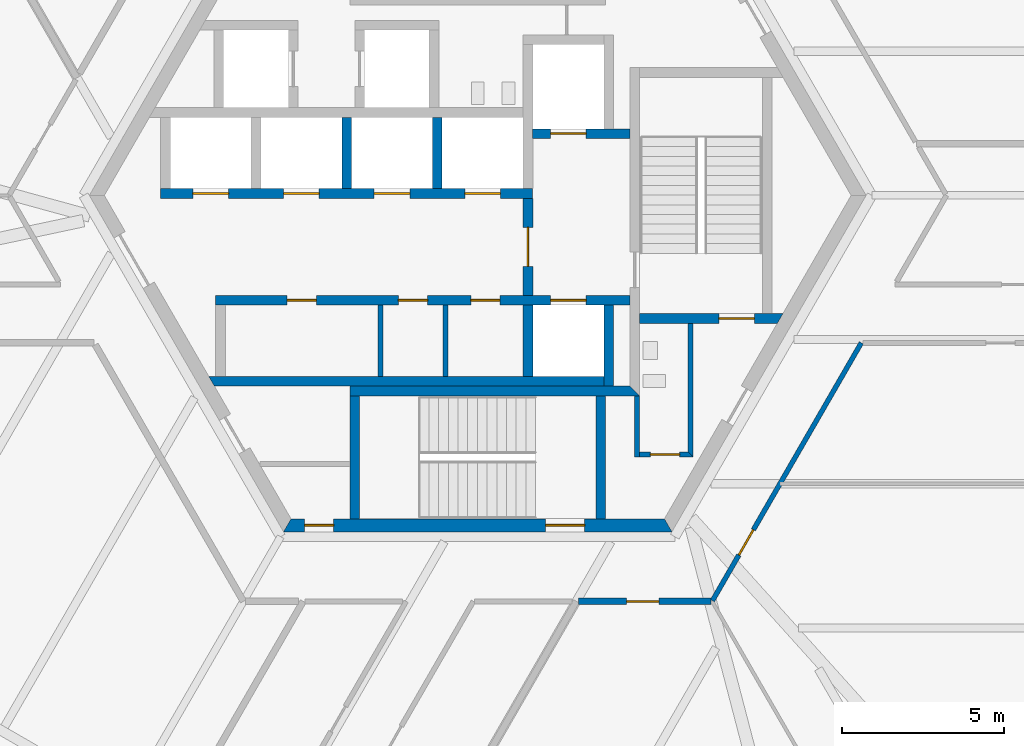
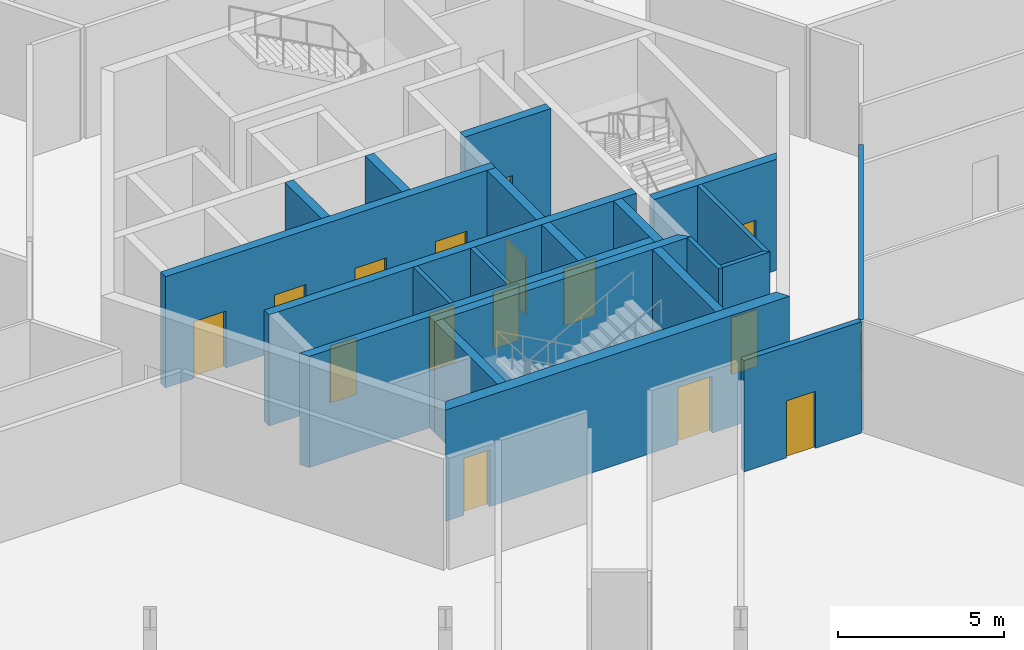
# One storey, part 27 of 38: 21 walls, 16 doors, 16 openings.
"""IFC4 building model written with IfcOpenShell, lengths in metres."""

from ifc_helpers import new_model, si_unit, direction, frame, frame_2d, origin, place, context, subcontext, project, spatial, polyline, rectangle, outline, extrude, source, transform, mapped, material, layer, layer_set, type_object, element, fill, save


model = new_model("IFC4")

# Units and contexts
model_context = context("Model", 3, precision=1e-05, world=origin(), true_north=direction((0.0, 1.0)))
body_context = subcontext(model_context, "Body", "Model", "MODEL_VIEW")
ifc_project = project(units=[si_unit("LENGTHUNIT", "METRE"), si_unit("AREAUNIT", "SQUARE_METRE"), si_unit("VOLUMEUNIT", "CUBIC_METRE"), si_unit("PLANEANGLEUNIT", "RADIAN"), si_unit("MASSUNIT", "GRAM", prefix="KILO")], contexts=[model_context])

# Site, building, storey
site_placement = place(None, origin())
site = spatial("IfcSite", under=ifc_project, at=site_placement, CompositionType="ELEMENT")
building_placement = place(site_placement, origin())
building = spatial("IfcBuilding", under=site, at=building_placement, Name="Triune Harvest Tower", CompositionType="ELEMENT")
storey_placement = place(building_placement, frame((0.0, 0.0, 16.0)))
storey = spatial("IfcBuildingStorey", under=building, at=storey_placement, Name="L03", CompositionType="ELEMENT", Elevation=16.0)

# Walls
ifc_material_1 = material(Name="Concrete masonry unit", Category="masonry")
ifc_layer_1 = layer(ifc_material_1, 0.14990234375)
ifc_layer_set_1 = layer_set([ifc_layer_1], Name="Concrete masonry unit")
wall_type_1 = type_object("IfcWallType", Name="Block partition 150 unrated", PredefinedType="PARTITIONING", material=ifc_layer_set_1)
wall_1_placement = place(storey_placement, frame((6.574951171875, -8.0, 0.0), z_axis=(0.0, 0.0, 1.0), x_axis=(0.0, 1.0, 0.0)))
element("IfcWall", 1, at=wall_1_placement, inside=storey, type_object=wall_type_1, Name="Wc acc east wall", PredefinedType="PARTITIONING", context=body_context, shape_type="SweptSolid", body=[
    extrude(outline(polyline([(-0.074951171875, -0.074951171875), (4.050048828125, -0.074951171875), (4.050048828125, 0.074951171875), (0.074951171875, 0.074951171875), (-0.074951171875, -0.074951171875)])), origin(), (0.0, 0.0, 1.0), 4.10009765625),
])
wall_2_placement = place(storey_placement, frame((4.925048828125, -8.074951171875, 0.0), z_axis=(0.0, 0.0, 1.0), x_axis=(0.0, 1.0, 0.0)))
element("IfcWall", 2, at=wall_2_placement, inside=storey, type_object=wall_type_1, Name="Wc acc west wall", PredefinedType="PARTITIONING", context=body_context, shape_type="SweptSolid", body=[
    extrude(rectangle(XDim=1.885009765625, YDim=0.14990234375, at=frame_2d((0.9423828125, 0.0))), origin(), (0.0, 0.0, 1.0), 4.10009765625),
])

# Wall, opening, door
ifc_material_2 = material(Name="Gypsum board on steel studs", Category="steel")
ifc_layer_2 = layer(ifc_material_2, 0.14990234375)
ifc_layer_set_2 = layer_set([ifc_layer_2], Name="Gypsum board on steel studs")
wall_type_2 = type_object("IfcWallType", Name="Fire Partition 150 mm", PredefinedType="PARTITIONING", material=ifc_layer_set_2)
wall_3_placement = place(storey_placement, frame((7.25146484375, -12.52490234375, 0.0), z_axis=(0.0, 0.0, 1.0), x_axis=(0.499988071196, 0.866032290773, 0.0)))
wall_3 = element("IfcWall", 3, at=wall_3_placement, inside=storey, type_object=wall_type_2, Name="Partition L03 043", PredefinedType="PARTITIONING", context=body_context, shape_type="SweptSolid", body=[
    extrude(rectangle(XDim=9.202880859375, YDim=0.14990234375, at=frame_2d((4.6015625, 0.0))), origin(), (0.0, 0.0, 1.0), 4.10009765625),
])
opening_1_placement = place(wall_3_placement, frame((1.6298828125, 0.0, 0.0)))
opening_1 = element("IfcOpeningElement", 4, at=opening_1_placement, cuts=wall_3, Name="Opening L03-001", PredefinedType="OPENING", context=body_context, shape_type="SweptSolid", body=[
    extrude(rectangle(XDim=0.89990234375, YDim=2.10009765625, at=frame_2d((0.449951171875, 1.050048828125))), frame((0.0, 0.0849609375, 0.0), z_axis=(0.0, -1.0, 0.0), x_axis=(1.0, 0.0, 0.0)), (0.0, 0.0, 1.0), 0.169921875),
])
ifc_material_3 = material(Name="Timber and steel door set", Category="steel")
door_type_1 = type_object("IfcDoorType", Name="Single leaf door FD30 right hand 900 x 2100", OperationType="SINGLE_SWING_RIGHT", PredefinedType="DOOR", material=ifc_material_3)
door_1_placement = place(opening_1_placement, origin())
door_1 = element("IfcDoor", 5, at=door_1_placement, inside=storey, type_object=door_type_1, Name="Door L03-001 Staff Room 03.01", OperationType="SINGLE_SWING_RIGHT", OverallHeight=2.10009765625, OverallWidth=0.89990234375, PredefinedType="DOOR", context=body_context, shape_type="SweptSolid", body=[
    extrude(rectangle(XDim=0.89990234375, YDim=2.10009765625, at=frame_2d((0.449951171875, 1.050048828125))), frame((0.0, 0.02490234375, 0.0), z_axis=(0.0, -1.0, 0.0), x_axis=(1.0, 0.0, 0.0)), (0.0, 0.0, 1.0), 0.050048828125),
])
fill(opening_1, door_1)

ifc_material_4 = material(Name="Gypsum board on steel studs", Category="steel")
ifc_layer_3 = layer(ifc_material_4, 0.199951171875)
ifc_layer_set_3 = layer_set([ifc_layer_3], Name="Gypsum board on steel studs")
wall_type_3 = type_object("IfcWallType", Name="Fire Wall 200 mm", PredefinedType="PARTITIONING", material=ifc_layer_set_3)
wall_4_placement = place(storey_placement, frame((3.113525390625, -12.542236328125, 0.0), z_axis=(0.0, 0.0, 1.0), x_axis=(1.0, 0.0, 0.0)))
wall_4 = element("IfcWall", 6, at=wall_4_placement, inside=storey, type_object=wall_type_3, Name="Partition L03 024", PredefinedType="PARTITIONING", context=body_context, shape_type="SweptSolid", body=[
    extrude(rectangle(XDim=4.087890625, YDim=0.199951171875, at=frame_2d((2.0439453125, 0.0))), origin(), (0.0, 0.0, 1.0), 4.10009765625),
])
opening_2_placement = place(wall_4_placement, frame((1.4833984375, 0.0, 0.0)))
opening_2 = element("IfcOpeningElement", 7, at=opening_2_placement, cuts=wall_4, Name="Opening L03-020", PredefinedType="OPENING", context=body_context, shape_type="SweptSolid", body=[
    extrude(rectangle(XDim=1.0, YDim=2.10009765625, at=frame_2d((0.5, 1.050048828125))), frame((0.0, 0.10986328125, 0.0), z_axis=(0.0, -1.0, 0.0), x_axis=(1.0, 0.0, 0.0)), (0.0, 0.0, 1.0), 0.219970703125),
])
ifc_material_5 = material(Name="Timber and steel door set", Category="steel")
door_type_2 = type_object("IfcDoorType", Name="Wide single leaf door FD60 right hand 1000 x 2100", OperationType="SINGLE_SWING_RIGHT", PredefinedType="DOOR", material=ifc_material_5)
door_2_placement = place(opening_2_placement, origin())
door_2 = element("IfcDoor", 8, at=door_2_placement, inside=storey, type_object=door_type_2, Name="Door L03-020 Growing Room 03.20", OperationType="SINGLE_SWING_RIGHT", OverallHeight=2.10009765625, OverallWidth=1.0, PredefinedType="DOOR", context=body_context, shape_type="SweptSolid", body=[
    extrude(rectangle(XDim=1.0, YDim=2.10009765625, at=frame_2d((0.5, 1.050048828125))), frame((0.0, 0.02490234375, 0.0), z_axis=(0.0, -1.0, 0.0), x_axis=(1.0, 0.0, 0.0)), (0.0, 0.0, 1.0), 0.050048828125),
])
fill(opening_2, door_2)

# Wall, openings, doors
ifc_material_6 = material(Name="Concrete 70 MPa", Category="concrete")
ifc_layer_4 = layer(ifc_material_6, 0.39990234375)
ifc_layer_set_4 = layer_set([ifc_layer_4], Name="Concrete 70 MPa")
wall_type_4 = type_object("IfcWallType", Name="Core wall 400", PredefinedType="SHEAR", material=ifc_layer_set_4)
shared_shape_1 = source(origin(), body_context, "Body", "SweptSolid", [
    extrude(outline(polyline([(-0.115478515625, -0.199951171875), (11.884521484375, -0.199951171875), (11.653564453125, 0.199951171875), (0.115478515625, 0.199951171875), (-0.115478515625, -0.199951171875)])), origin(), (0.0, 0.0, 1.0), 4.10009765625),
])
wall_5_placement = place(storey_placement, frame((-5.884521484375, -10.1923828125, 0.0), z_axis=(0.0, 0.0, 1.0), x_axis=(1.0, 0.0, 0.0)))
wall_5 = element("IfcWall", 9, at=wall_5_placement, inside=storey, type_object=wall_type_4, Name="Hexagon 4 wall", PredefinedType="SHEAR", context=body_context, shape_type="MappedRepresentation", body=[
    mapped(shared_shape_1, transform((0.0, 0.0, 0.0), scale=1.0)),
])
opening_3_placement = place(wall_5_placement, frame((7.984619140625, 0.0, 0.0)))
opening_3 = element("IfcOpeningElement", 10, at=opening_3_placement, cuts=wall_5, Name="Opening CD-S2P", PredefinedType="OPENING", context=body_context, shape_type="SweptSolid", body=[
    extrude(rectangle(XDim=1.199951171875, YDim=2.10009765625, at=frame_2d((0.60009765625, 1.050048828125))), frame((0.0, 0.2099609375, 0.0), z_axis=(0.0, -1.0, 0.0), x_axis=(1.0, 0.0, 0.0)), (0.0, 0.0, 1.0), 0.419921875),
])
opening_4_placement = place(wall_5_placement, frame((0.534423828125, 0.0, 0.0)))
opening_4 = element("IfcOpeningElement", 11, at=opening_4_placement, cuts=wall_5, Name="Opening CD-SWS", PredefinedType="OPENING", context=body_context, shape_type="SweptSolid", body=[
    extrude(rectangle(XDim=0.89990234375, YDim=2.10009765625, at=frame_2d((0.449951171875, 1.050048828125))), frame((0.0, 0.2099609375, 0.0), z_axis=(0.0, -1.0, 0.0), x_axis=(1.0, 0.0, 0.0)), (0.0, 0.0, 1.0), 0.419921875),
])
ifc_material_7 = material(Name="Steel S235", Category="steel")
door_type_3 = type_object("IfcDoorType", Name="Riser door 900 FD120", OperationType="SINGLE_SWING_LEFT", PredefinedType="DOOR", material=ifc_material_7)
door_3_placement = place(opening_4_placement, frame((0.89990234375, 0.0, 0.0), z_axis=(0.0, 0.0, 1.0), x_axis=(-1.0, 0.0, 0.0)))
door_3 = element("IfcDoor", 12, at=door_3_placement, inside=storey, type_object=door_type_3, Name="Door CD-SWS", OperationType="SINGLE_SWING_RIGHT", OverallHeight=2.10009765625, OverallWidth=0.89990234375, PredefinedType="DOOR", context=body_context, shape_type="SweptSolid", body=[
    extrude(rectangle(XDim=0.89990234375, YDim=2.10009765625, at=frame_2d((0.449951171875, 1.050048828125))), frame((0.0, 0.02490234375, 0.0), z_axis=(0.0, -1.0, 0.0), x_axis=(1.0, 0.0, 0.0)), (0.0, 0.0, 1.0), 0.050048828125),
])
fill(opening_4, door_3)
ifc_material_8 = material(Name="Steel S235", Category="steel")
door_type_4 = type_object("IfcDoorType", Name="Stair door 1200 FD120", OperationType="SINGLE_SWING_LEFT", PredefinedType="DOOR", material=ifc_material_8)
door_4_placement = place(opening_3_placement, frame((1.199951171875, 0.0, 0.0), z_axis=(0.0, 0.0, 1.0), x_axis=(-1.0, 0.0, 0.0)))
door_4 = element("IfcDoor", 13, at=door_4_placement, inside=storey, type_object=door_type_4, Name="Door CD-S2P", OperationType="SINGLE_SWING_RIGHT", OverallHeight=2.10009765625, OverallWidth=1.199951171875, PredefinedType="DOOR", context=body_context, shape_type="SweptSolid", body=[
    extrude(rectangle(XDim=1.199951171875, YDim=2.10009765625, at=frame_2d((0.60009765625, 1.050048828125))), frame((0.0, 0.02490234375, 0.0), z_axis=(0.0, -1.0, 0.0), x_axis=(1.0, 0.0, 0.0)), (0.0, 0.0, 1.0), 0.050048828125),
])
fill(opening_3, door_4)

ifc_material_9 = material(Name="Concrete 70 MPa", Category="concrete")
ifc_layer_5 = layer(ifc_material_9, 0.300048828125)
ifc_layer_set_5 = layer_set([ifc_layer_5], Name="Concrete 70 MPa")
wall_type_5 = type_object("IfcWallType", Name="Core wall 300", PredefinedType="SHEAR", material=ifc_layer_set_5)
shared_shape_2 = source(origin(), body_context, "Body", "SweptSolid", [
    extrude(rectangle(XDim=11.5, YDim=0.300048828125, at=frame_2d((5.75, 0.0))), origin(), (0.0, 0.0, 1.0), 4.10009765625),
])
wall_6_placement = place(storey_placement, frame((-9.800048828125, 0.06005859375, 0.0), z_axis=(0.0, 0.0, 1.0), x_axis=(1.0, 0.0, 0.0)))
wall_6 = element("IfcWall", 14, at=wall_6_placement, inside=storey, type_object=wall_type_5, Name="North front wall", PredefinedType="SHEAR", context=body_context, shape_type="MappedRepresentation", body=[
    mapped(shared_shape_2, transform((0.0, 0.0, 0.0), scale=1.0)),
])
opening_5_placement = place(wall_6_placement, frame((1.0, 0.0, 0.0)))
opening_5 = element("IfcOpeningElement", 15, at=opening_5_placement, cuts=wall_6, Name="Opening LD-LR1-03", PredefinedType="OPENING", context=body_context, shape_type="SweptSolid", body=[
    extrude(rectangle(XDim=1.10009765625, YDim=2.10009765625, at=frame_2d((0.550048828125, 1.050048828125))), frame((0.0, 0.16015625, 0.0), z_axis=(0.0, -1.0, 0.0), x_axis=(1.0, 0.0, 0.0)), (0.0, 0.0, 1.0), 0.320068359375),
])
opening_6_placement = place(wall_6_placement, frame((3.800048828125, 0.0, 0.0)))
opening_6 = element("IfcOpeningElement", 16, at=opening_6_placement, cuts=wall_6, Name="Opening LD-LR2-03", PredefinedType="OPENING", context=body_context, shape_type="SweptSolid", body=[
    extrude(rectangle(XDim=1.10009765625, YDim=2.10009765625, at=frame_2d((0.550048828125, 1.050048828125))), frame((0.0, 0.16015625, 0.0), z_axis=(0.0, -1.0, 0.0), x_axis=(1.0, 0.0, 0.0)), (0.0, 0.0, 1.0), 0.320068359375),
])
opening_7_placement = place(wall_6_placement, frame((6.60009765625, 0.0, 0.0)))
opening_7 = element("IfcOpeningElement", 17, at=opening_7_placement, cuts=wall_6, Name="Opening LD-LR3-03", PredefinedType="OPENING", context=body_context, shape_type="SweptSolid", body=[
    extrude(rectangle(XDim=1.10009765625, YDim=2.10009765625, at=frame_2d((0.550048828125, 1.050048828125))), frame((0.0, 0.16015625, 0.0), z_axis=(0.0, -1.0, 0.0), x_axis=(1.0, 0.0, 0.0)), (0.0, 0.0, 1.0), 0.320068359375),
])
opening_8_placement = place(wall_6_placement, frame((9.39990234375, 0.0, 0.0)))
opening_8 = element("IfcOpeningElement", 18, at=opening_8_placement, cuts=wall_6, Name="Opening LD-LR4-03", PredefinedType="OPENING", context=body_context, shape_type="SweptSolid", body=[
    extrude(rectangle(XDim=1.10009765625, YDim=2.10009765625, at=frame_2d((0.550048828125, 1.050048828125))), frame((0.0, 0.16015625, 0.0), z_axis=(0.0, -1.0, 0.0), x_axis=(1.0, 0.0, 0.0)), (0.0, 0.0, 1.0), 0.320068359375),
])
ifc_material_10 = material(Name="Stainless steel AISI 304", Category="steel")
door_type_5 = type_object("IfcDoorType", Name="Landing door 1100 x 2100", OperationType="DOUBLE_DOOR_SLIDING", PredefinedType="DOOR", material=ifc_material_10)
door_5_placement = place(opening_5_placement, origin())
door_5 = element("IfcDoor", 19, at=door_5_placement, inside=storey, type_object=door_type_5, Name="Door LD-LR1-03", OperationType="DOUBLE_DOOR_SLIDING", OverallHeight=2.10009765625, OverallWidth=1.10009765625, PredefinedType="DOOR", context=body_context, shape_type="SweptSolid", body=[
    extrude(rectangle(XDim=1.10009765625, YDim=2.10009765625, at=frame_2d((0.550048828125, 1.050048828125))), frame((0.0, 0.02490234375, 0.0), z_axis=(0.0, -1.0, 0.0), x_axis=(1.0, 0.0, 0.0)), (0.0, 0.0, 1.0), 0.050048828125),
])
fill(opening_5, door_5)
door_6_placement = place(opening_6_placement, origin())
door_6 = element("IfcDoor", 20, at=door_6_placement, inside=storey, type_object=door_type_5, Name="Door LD-LR2-03", OperationType="DOUBLE_DOOR_SLIDING", OverallHeight=2.10009765625, OverallWidth=1.10009765625, PredefinedType="DOOR", context=body_context, shape_type="SweptSolid", body=[
    extrude(rectangle(XDim=1.10009765625, YDim=2.10009765625, at=frame_2d((0.550048828125, 1.050048828125))), frame((0.0, 0.02490234375, 0.0), z_axis=(0.0, -1.0, 0.0), x_axis=(1.0, 0.0, 0.0)), (0.0, 0.0, 1.0), 0.050048828125),
])
fill(opening_6, door_6)
door_7_placement = place(opening_7_placement, origin())
door_7 = element("IfcDoor", 21, at=door_7_placement, inside=storey, type_object=door_type_5, Name="Door LD-LR3-03", OperationType="DOUBLE_DOOR_SLIDING", OverallHeight=2.10009765625, OverallWidth=1.10009765625, PredefinedType="DOOR", context=body_context, shape_type="SweptSolid", body=[
    extrude(rectangle(XDim=1.10009765625, YDim=2.10009765625, at=frame_2d((0.550048828125, 1.050048828125))), frame((0.0, 0.02490234375, 0.0), z_axis=(0.0, -1.0, 0.0), x_axis=(1.0, 0.0, 0.0)), (0.0, 0.0, 1.0), 0.050048828125),
])
fill(opening_7, door_7)
door_8_placement = place(opening_8_placement, origin())
door_8 = element("IfcDoor", 22, at=door_8_placement, inside=storey, type_object=door_type_5, Name="Door LD-LR4-03", OperationType="DOUBLE_DOOR_SLIDING", OverallHeight=2.10009765625, OverallWidth=1.10009765625, PredefinedType="DOOR", context=body_context, shape_type="SweptSolid", body=[
    extrude(rectangle(XDim=1.10009765625, YDim=2.10009765625, at=frame_2d((0.550048828125, 1.050048828125))), frame((0.0, 0.02490234375, 0.0), z_axis=(0.0, -1.0, 0.0), x_axis=(1.0, 0.0, 0.0)), (0.0, 0.0, 1.0), 0.050048828125),
])
fill(opening_8, door_8)

# Wall
shared_shape_3 = source(origin(), body_context, "Body", "SweptSolid", [
    extrude(rectangle(XDim=2.5, YDim=0.300048828125, at=frame_2d((1.25, 0.0))), origin(), (0.0, 0.0, 1.0), 4.10009765625),
])
wall_7_placement = place(storey_placement, frame((4.050048828125, -5.889892578125, 0.0), z_axis=(0.0, 0.0, 1.0), x_axis=(0.0, 1.0, 0.0)))
element("IfcWall", 23, at=wall_7_placement, inside=storey, type_object=wall_type_5, Name="Ff2 east wall", PredefinedType="SHEAR", context=body_context, shape_type="MappedRepresentation", body=[
    mapped(shared_shape_3, transform((0.0, 0.0, 0.0), scale=1.0)),
])

# Wall, opening, door
shared_shape_4 = source(origin(), body_context, "Body", "SweptSolid", [
    extrude(rectangle(XDim=3.0, YDim=0.300048828125, at=frame_2d((1.5, 0.0))), origin(), (0.0, 0.0, 1.0), 4.10009765625),
])
wall_8_placement = place(storey_placement, frame((1.699951171875, 1.909912109375, 0.0), z_axis=(0.0, 0.0, 1.0), x_axis=(1.0, 0.0, 0.0)))
wall_8 = element("IfcWall", 24, at=wall_8_placement, inside=storey, type_object=wall_type_5, Name="Ff1 front wall", PredefinedType="SHEAR", context=body_context, shape_type="MappedRepresentation", body=[
    mapped(shared_shape_4, transform((0.0, 0.0, 0.0), scale=1.0)),
])
opening_9_placement = place(wall_8_placement, frame((0.550048828125, 0.0, 0.0)))
opening_9 = element("IfcOpeningElement", 25, at=opening_9_placement, cuts=wall_8, Name="Opening LD-FF1-03", PredefinedType="OPENING", context=body_context, shape_type="SweptSolid", body=[
    extrude(rectangle(XDim=1.10009765625, YDim=2.10009765625, at=frame_2d((0.550048828125, 1.050048828125))), frame((0.0, 0.16015625, 0.0), z_axis=(0.0, -1.0, 0.0), x_axis=(1.0, 0.0, 0.0)), (0.0, 0.0, 1.0), 0.320068359375),
])
door_9_placement = place(opening_9_placement, origin())
door_9 = element("IfcDoor", 26, at=door_9_placement, inside=storey, type_object=door_type_5, Name="Door LD-FF1-03", OperationType="DOUBLE_DOOR_SLIDING", OverallHeight=2.10009765625, OverallWidth=1.10009765625, PredefinedType="DOOR", context=body_context, shape_type="SweptSolid", body=[
    extrude(rectangle(XDim=1.10009765625, YDim=2.10009765625, at=frame_2d((0.550048828125, 1.050048828125))), frame((0.0, 0.02490234375, 0.0), z_axis=(0.0, -1.0, 0.0), x_axis=(1.0, 0.0, 0.0)), (0.0, 0.0, 1.0), 0.050048828125),
])
fill(opening_9, door_9)

wall_9_placement = place(storey_placement, frame((1.550048828125, -3.090087890625, 0.0), z_axis=(0.0, 0.0, 1.0), x_axis=(0.0, 1.0, 0.0)))
wall_9 = element("IfcWall", 27, at=wall_9_placement, inside=storey, type_object=wall_type_5, Name="Ff lobby west wall", PredefinedType="SHEAR", context=body_context, shape_type="MappedRepresentation", body=[
    mapped(shared_shape_4, transform((0.0, 0.0, 0.0), scale=1.0)),
])
opening_10_placement = place(wall_9_placement, frame((0.89990234375, 0.0, 0.0)))
opening_10 = element("IfcOpeningElement", 28, at=opening_10_placement, cuts=wall_9, Name="Opening CD-FL", PredefinedType="OPENING", context=body_context, shape_type="SweptSolid", body=[
    extrude(rectangle(XDim=1.199951171875, YDim=2.10009765625, at=frame_2d((0.60009765625, 1.050048828125))), frame((0.0, 0.16015625, 0.0), z_axis=(0.0, -1.0, 0.0), x_axis=(1.0, 0.0, 0.0)), (0.0, 0.0, 1.0), 0.320068359375),
])
ifc_material_11 = material(Name="Steel S235", Category="steel")
door_type_6 = type_object("IfcDoorType", Name="Firefighters' lobby door 1200 FD120", OperationType="SINGLE_SWING_LEFT", PredefinedType="DOOR", material=ifc_material_11)
door_10_placement = place(opening_10_placement, frame((1.199951171875, 0.0, 0.0), z_axis=(0.0, 0.0, 1.0), x_axis=(-1.0, 0.0, 0.0)))
door_10 = element("IfcDoor", 29, at=door_10_placement, inside=storey, type_object=door_type_6, Name="Door CD-FL", OperationType="SINGLE_SWING_RIGHT", OverallHeight=2.10009765625, OverallWidth=1.199951171875, PredefinedType="DOOR", context=body_context, shape_type="SweptSolid", body=[
    extrude(rectangle(XDim=1.199951171875, YDim=2.10009765625, at=frame_2d((0.60009765625, 1.050048828125))), frame((0.0, 0.02490234375, 0.0), z_axis=(0.0, -1.0, 0.0), x_axis=(1.0, 0.0, 0.0)), (0.0, 0.0, 1.0), 0.050048828125),
])
fill(opening_10, door_10)

# Wall, openings, doors
shared_shape_5 = source(origin(), body_context, "Body", "SweptSolid", [
    extrude(rectangle(XDim=12.800048828125, YDim=0.300048828125, at=frame_2d((6.39990234375, 0.0))), origin(), (0.0, 0.0, 1.0), 4.10009765625),
])
wall_10_placement = place(storey_placement, frame((-8.10009765625, -3.239990234375, 0.0), z_axis=(0.0, 0.0, 1.0), x_axis=(1.0, 0.0, 0.0)))
wall_10 = element("IfcWall", 30, at=wall_10_placement, inside=storey, type_object=wall_type_5, Name="South front wall", PredefinedType="SHEAR", context=body_context, shape_type="MappedRepresentation", body=[
    mapped(shared_shape_5, transform((0.0, 0.0, 0.0), scale=1.0)),
])
opening_11_placement = place(wall_10_placement, frame((2.21240234375, 0.0, 0.0)))
opening_11 = element("IfcOpeningElement", 31, at=opening_11_placement, cuts=wall_10, Name="Opening CD-RS1", PredefinedType="OPENING", context=body_context, shape_type="SweptSolid", body=[
    extrude(rectangle(XDim=0.89990234375, YDim=2.10009765625, at=frame_2d((0.449951171875, 1.050048828125))), frame((0.0, 0.16015625, 0.0), z_axis=(0.0, -1.0, 0.0), x_axis=(1.0, 0.0, 0.0)), (0.0, 0.0, 1.0), 0.320068359375),
])
opening_12_placement = place(wall_10_placement, frame((5.64990234375, 0.0, 0.0)))
opening_12 = element("IfcOpeningElement", 32, at=opening_12_placement, cuts=wall_10, Name="Opening CD-RS2", PredefinedType="OPENING", context=body_context, shape_type="SweptSolid", body=[
    extrude(rectangle(XDim=0.89990234375, YDim=2.10009765625, at=frame_2d((0.449951171875, 1.050048828125))), frame((0.0, 0.16015625, 0.0), z_axis=(0.0, -1.0, 0.0), x_axis=(1.0, 0.0, 0.0)), (0.0, 0.0, 1.0), 0.320068359375),
])
opening_13_placement = place(wall_10_placement, frame((7.887451171875, 0.0, 0.0)))
opening_13 = element("IfcOpeningElement", 33, at=opening_13_placement, cuts=wall_10, Name="Opening CD-RS3", PredefinedType="OPENING", context=body_context, shape_type="SweptSolid", body=[
    extrude(rectangle(XDim=0.89990234375, YDim=2.10009765625, at=frame_2d((0.449951171875, 1.050048828125))), frame((0.0, 0.16015625, 0.0), z_axis=(0.0, -1.0, 0.0), x_axis=(1.0, 0.0, 0.0)), (0.0, 0.0, 1.0), 0.320068359375),
])
opening_14_placement = place(wall_10_placement, frame((10.35009765625, 0.0, 0.0)))
opening_14 = element("IfcOpeningElement", 34, at=opening_14_placement, cuts=wall_10, Name="Opening LD-FF2-03", PredefinedType="OPENING", context=body_context, shape_type="SweptSolid", body=[
    extrude(rectangle(XDim=1.10009765625, YDim=2.10009765625, at=frame_2d((0.550048828125, 1.050048828125))), frame((0.0, 0.16015625, 0.0), z_axis=(0.0, -1.0, 0.0), x_axis=(1.0, 0.0, 0.0)), (0.0, 0.0, 1.0), 0.320068359375),
])
door_11_placement = place(opening_14_placement, origin())
door_11 = element("IfcDoor", 35, at=door_11_placement, inside=storey, type_object=door_type_5, Name="Door LD-FF2-03", OperationType="DOUBLE_DOOR_SLIDING", OverallHeight=2.10009765625, OverallWidth=1.10009765625, PredefinedType="DOOR", context=body_context, shape_type="SweptSolid", body=[
    extrude(rectangle(XDim=1.10009765625, YDim=2.10009765625, at=frame_2d((0.550048828125, 1.050048828125))), frame((0.0, 0.02490234375, 0.0), z_axis=(0.0, -1.0, 0.0), x_axis=(1.0, 0.0, 0.0)), (0.0, 0.0, 1.0), 0.050048828125),
])
fill(opening_14, door_11)
door_12_placement = place(opening_11_placement, origin())
door_12 = element("IfcDoor", 36, at=door_12_placement, inside=storey, type_object=door_type_3, Name="Door CD-RS1", OperationType="SINGLE_SWING_LEFT", OverallHeight=2.10009765625, OverallWidth=0.89990234375, PredefinedType="DOOR", context=body_context, shape_type="SweptSolid", body=[
    extrude(rectangle(XDim=0.89990234375, YDim=2.10009765625, at=frame_2d((0.449951171875, 1.050048828125))), frame((0.0, 0.02490234375, 0.0), z_axis=(0.0, -1.0, 0.0), x_axis=(1.0, 0.0, 0.0)), (0.0, 0.0, 1.0), 0.050048828125),
])
fill(opening_11, door_12)
door_13_placement = place(opening_12_placement, origin())
door_13 = element("IfcDoor", 37, at=door_13_placement, inside=storey, type_object=door_type_3, Name="Door CD-RS2", OperationType="SINGLE_SWING_LEFT", OverallHeight=2.10009765625, OverallWidth=0.89990234375, PredefinedType="DOOR", context=body_context, shape_type="SweptSolid", body=[
    extrude(rectangle(XDim=0.89990234375, YDim=2.10009765625, at=frame_2d((0.449951171875, 1.050048828125))), frame((0.0, 0.02490234375, 0.0), z_axis=(0.0, -1.0, 0.0), x_axis=(1.0, 0.0, 0.0)), (0.0, 0.0, 1.0), 0.050048828125),
])
fill(opening_12, door_13)
door_14_placement = place(opening_13_placement, origin())
door_14 = element("IfcDoor", 38, at=door_14_placement, inside=storey, type_object=door_type_3, Name="Door CD-RS3", OperationType="SINGLE_SWING_LEFT", OverallHeight=2.10009765625, OverallWidth=0.89990234375, PredefinedType="DOOR", context=body_context, shape_type="SweptSolid", body=[
    extrude(rectangle(XDim=0.89990234375, YDim=2.10009765625, at=frame_2d((0.449951171875, 1.050048828125))), frame((0.0, 0.02490234375, 0.0), z_axis=(0.0, -1.0, 0.0), x_axis=(1.0, 0.0, 0.0)), (0.0, 0.0, 1.0), 0.050048828125),
])
fill(opening_13, door_14)

# Walls
shared_shape_6 = source(origin(), body_context, "Body", "SweptSolid", [
    extrude(outline(polyline([(12.0, -0.14990234375), (-0.039794921875, -0.14990234375), (-0.212890625, 0.14990234375), (12.0, 0.14990234375), (12.0, -0.14990234375)])), origin(), (0.0, 0.0, 1.0), 4.10009765625),
])
wall_11_placement = place(storey_placement, frame((-8.10009765625, -5.739990234375, 0.0), z_axis=(0.0, 0.0, 1.0), x_axis=(1.0, 0.0, 0.0)))
element("IfcWall", 39, at=wall_11_placement, inside=storey, type_object=wall_type_5, Name="South back wall", PredefinedType="SHEAR", context=body_context, shape_type="MappedRepresentation", body=[
    mapped(shared_shape_6, transform((0.0, 0.0, 0.0), scale=1.0)),
])
shared_shape_7 = source(origin(), body_context, "Body", "SweptSolid", [
    extrude(rectangle(XDim=2.2001953125, YDim=0.300048828125, at=frame_2d((1.10009765625, 0.0))), origin(), (0.0, 0.0, 1.0), 4.10009765625),
])
wall_12_placement = place(storey_placement, frame((1.550048828125, -5.590087890625, 0.0), z_axis=(0.0, 0.0, 1.0), x_axis=(0.0, 1.0, 0.0)))
element("IfcWall", 40, at=wall_12_placement, inside=storey, type_object=wall_type_5, Name="Ff2 west wall", PredefinedType="SHEAR", context=body_context, shape_type="MappedRepresentation", body=[
    mapped(shared_shape_7, transform((0.0, 0.0, 0.0), scale=1.0)),
])
shared_shape_8 = source(origin(), body_context, "Body", "SweptSolid", [
    extrude(rectangle(XDim=2.199951171875, YDim=0.300048828125, at=frame_2d((1.10009765625, 0.0))), origin(), (0.0, 0.0, 1.0), 4.10009765625),
])
for number, where, z_axis, x_axis, name in (
    (41, (-4.050048828125, 0.2099609375, 0.0), (0.0, 0.0, 1.0), (0.0, 1.0, 0.0), "North cross 2 wall"),
    (42, (-1.25, 0.2099609375, 0.0), (0.0, 0.0, 1.0), (0.0, 1.0, 0.0), "North cross 3 wall"),
):
    element("IfcWall", number, at=place(storey_placement, frame(where, z_axis=z_axis, x_axis=x_axis)), inside=storey, type_object=wall_type_5, Name=name, PredefinedType="SHEAR", context=body_context, shape_type="MappedRepresentation", body=[
        mapped(shared_shape_8, transform((0.0, 0.0, 0.0), scale=1.0)),
    ])

# Wall, opening, door
shared_shape_9 = source(origin(), body_context, "Body", "SweptSolid", [
    extrude(outline(polyline([(0.0, -0.14990234375), (0.0, 0.14990234375), (4.43310546875, 0.14990234375), (4.260009765625, -0.14990234375), (0.0, -0.14990234375)])), origin(), (0.0, 0.0, 1.0), 4.10009765625),
])
wall_13_placement = place(storey_placement, frame((5.0, -3.800048828125, 0.0), z_axis=(0.0, 0.0, 1.0), x_axis=(1.0, 0.0, 0.0)))
wall_13 = element("IfcWall", 43, at=wall_13_placement, inside=storey, type_object=wall_type_5, Name="Stair e south wall", PredefinedType="SHEAR", context=body_context, shape_type="MappedRepresentation", body=[
    mapped(shared_shape_9, transform((0.0, 0.0, 0.0), scale=1.0)),
])
opening_15_placement = place(wall_13_placement, frame((2.449951171875, 0.0, 0.0)))
opening_15 = element("IfcOpeningElement", 44, at=opening_15_placement, cuts=wall_13, Name="Opening CD-S3D", PredefinedType="OPENING", context=body_context, shape_type="SweptSolid", body=[
    extrude(rectangle(XDim=1.10009765625, YDim=2.10009765625, at=frame_2d((0.550048828125, 1.050048828125))), frame((0.0, 0.16015625, 0.0), z_axis=(0.0, -1.0, 0.0), x_axis=(1.0, 0.0, 0.0)), (0.0, 0.0, 1.0), 0.320068359375),
])
ifc_material_12 = material(Name="Steel S235", Category="steel")
door_type_7 = type_object("IfcDoorType", Name="Stair door 1100 FD120", OperationType="SINGLE_SWING_LEFT", PredefinedType="DOOR", material=ifc_material_12)
door_15_placement = place(opening_15_placement, frame((1.10009765625, 0.0, 0.0), z_axis=(0.0, 0.0, 1.0), x_axis=(-1.0, 0.0, 0.0)))
door_15 = element("IfcDoor", 45, at=door_15_placement, inside=storey, type_object=door_type_7, Name="Door CD-S3D", OperationType="SINGLE_SWING_RIGHT", OverallHeight=2.10009765625, OverallWidth=1.10009765625, PredefinedType="DOOR", context=body_context, shape_type="SweptSolid", body=[
    extrude(rectangle(XDim=1.10009765625, YDim=2.10009765625, at=frame_2d((0.550048828125, 1.050048828125))), frame((0.0, 0.02490234375, 0.0), z_axis=(0.0, -1.0, 0.0), x_axis=(1.0, 0.0, 0.0)), (0.0, 0.0, 1.0), 0.050048828125),
])
fill(opening_15, door_15)

# Walls
shared_shape_10 = source(origin(), body_context, "Body", "SweptSolid", [
    extrude(outline(polyline([(0.0, -0.14990234375), (8.949951171875, -0.14990234375), (8.64990234375, 0.14990234375), (0.0, 0.14990234375), (0.0, -0.14990234375)])), origin(), (0.0, 0.0, 1.0), 4.10009765625),
])
wall_14_placement = place(storey_placement, frame((-3.949951171875, -6.0400390625, 0.0), z_axis=(0.0, 0.0, 1.0), x_axis=(1.0, 0.0, 0.0)))
element("IfcWall", 46, at=wall_14_placement, inside=storey, type_object=wall_type_5, Name="Stair s north wall", PredefinedType="SHEAR", context=body_context, shape_type="MappedRepresentation", body=[
    mapped(shared_shape_10, transform((0.0, 0.0, 0.0), scale=1.0)),
])
shared_shape_11 = source(origin(), body_context, "Body", "SweptSolid", [
    extrude(outline(polyline([(3.800048828125, -0.14990234375), (-0.00439453125, -0.14990234375), (-0.00439453125, 0.14990234375), (3.800048828125, 0.14990234375), (3.800048828125, -0.14990234375)])), origin(), (0.0, 0.0, 1.0), 4.10009765625),
])
for number, where, z_axis, x_axis, name in (
    (47, (-3.800048828125, -9.989990234375, 0.0), (0.0, 0.0, 1.0), (0.0, 1.0, 0.0), "Stair s west wall"),
    (48, (3.800048828125, -9.989990234375, 0.0), (0.0, 0.0, 1.0), (0.0, 1.0, 0.0), "Stair s east wall"),
):
    element("IfcWall", number, at=place(storey_placement, frame(where, z_axis=z_axis, x_axis=x_axis)), inside=storey, type_object=wall_type_5, Name=name, PredefinedType="SHEAR", context=body_context, shape_type="MappedRepresentation", body=[
        mapped(shared_shape_11, transform((0.0, 0.0, 0.0), scale=1.0)),
    ])
ifc_material_13 = material(Name="Concrete masonry unit", Category="masonry")
ifc_layer_6 = layer(ifc_material_13, 0.14990234375)
ifc_layer_set_6 = layer_set([ifc_layer_6], Name="Concrete masonry unit")
wall_type_6 = type_object("IfcWallType", Name="Block partition 150", PredefinedType="PARTITIONING", material=ifc_layer_set_6)
shared_shape_12 = source(origin(), body_context, "Body", "SweptSolid", [
    extrude(rectangle(XDim=2.2001953125, YDim=0.14990234375, at=frame_2d((1.10009765625, 0.0))), origin(), (0.0, 0.0, 1.0), 4.10009765625),
])
for number, where, z_axis, x_axis, name in (
    (49, (-3.0, -5.590087890625, 0.0), (0.0, 0.0, 1.0), (0.0, 1.0, 0.0), "Row s part 1 wall"),
    (50, (-1.0, -5.590087890625, 0.0), (0.0, 0.0, 1.0), (0.0, 1.0, 0.0), "Row s part 2 wall"),
):
    element("IfcWall", number, at=place(storey_placement, frame(where, z_axis=z_axis, x_axis=x_axis)), inside=storey, type_object=wall_type_6, Name=name, PredefinedType="PARTITIONING", context=body_context, shape_type="MappedRepresentation", body=[
        mapped(shared_shape_12, transform((0.0, 0.0, 0.0), scale=1.0)),
    ])

# Wall, opening, door
shared_shape_13 = source(origin(), body_context, "Body", "SweptSolid", [
    extrude(outline(polyline([(0.0, -0.074951171875), (1.64990234375, -0.074951171875), (1.5, 0.074951171875), (0.0, 0.074951171875), (0.0, -0.074951171875)])), origin(), (0.0, 0.0, 1.0), 4.10009765625),
])
wall_15_placement = place(storey_placement, frame((5.0, -8.0, 0.0), z_axis=(0.0, 0.0, 1.0), x_axis=(1.0, 0.0, 0.0)))
wall_15 = element("IfcWall", 51, at=wall_15_placement, inside=storey, type_object=wall_type_1, Name="Wc acc south wall", PredefinedType="PARTITIONING", context=body_context, shape_type="MappedRepresentation", body=[
    mapped(shared_shape_13, transform((0.0, 0.0, 0.0), scale=1.0)),
])
opening_16_placement = place(wall_15_placement, frame((0.33740234375, 0.0, 0.0)))
opening_16 = element("IfcOpeningElement", 52, at=opening_16_placement, cuts=wall_15, Name="Opening CD-WA", PredefinedType="OPENING", context=body_context, shape_type="SweptSolid", body=[
    extrude(rectangle(XDim=0.89990234375, YDim=2.10009765625, at=frame_2d((0.449951171875, 1.050048828125))), frame((0.0, 0.0849609375, 0.0), z_axis=(0.0, -1.0, 0.0), x_axis=(1.0, 0.0, 0.0)), (0.0, 0.0, 1.0), 0.169921875),
])
ifc_material_14 = material(Name="Timber C24", Category="wood")
door_type_8 = type_object("IfcDoorType", Name="WC door 900", OperationType="SINGLE_SWING_LEFT", PredefinedType="DOOR", material=ifc_material_14)
door_16_placement = place(opening_16_placement, origin())
door_16 = element("IfcDoor", 53, at=door_16_placement, inside=storey, type_object=door_type_8, Name="Door CD-WA", OperationType="SINGLE_SWING_LEFT", OverallHeight=2.10009765625, OverallWidth=0.89990234375, PredefinedType="DOOR", context=body_context, shape_type="SweptSolid", body=[
    extrude(rectangle(XDim=0.89990234375, YDim=2.10009765625, at=frame_2d((0.449951171875, 1.050048828125))), frame((0.0, 0.02490234375, 0.0), z_axis=(0.0, -1.0, 0.0), x_axis=(1.0, 0.0, 0.0)), (0.0, 0.0, 1.0), 0.050048828125),
])
fill(opening_16, door_16)

save(model, "model.ifc")
